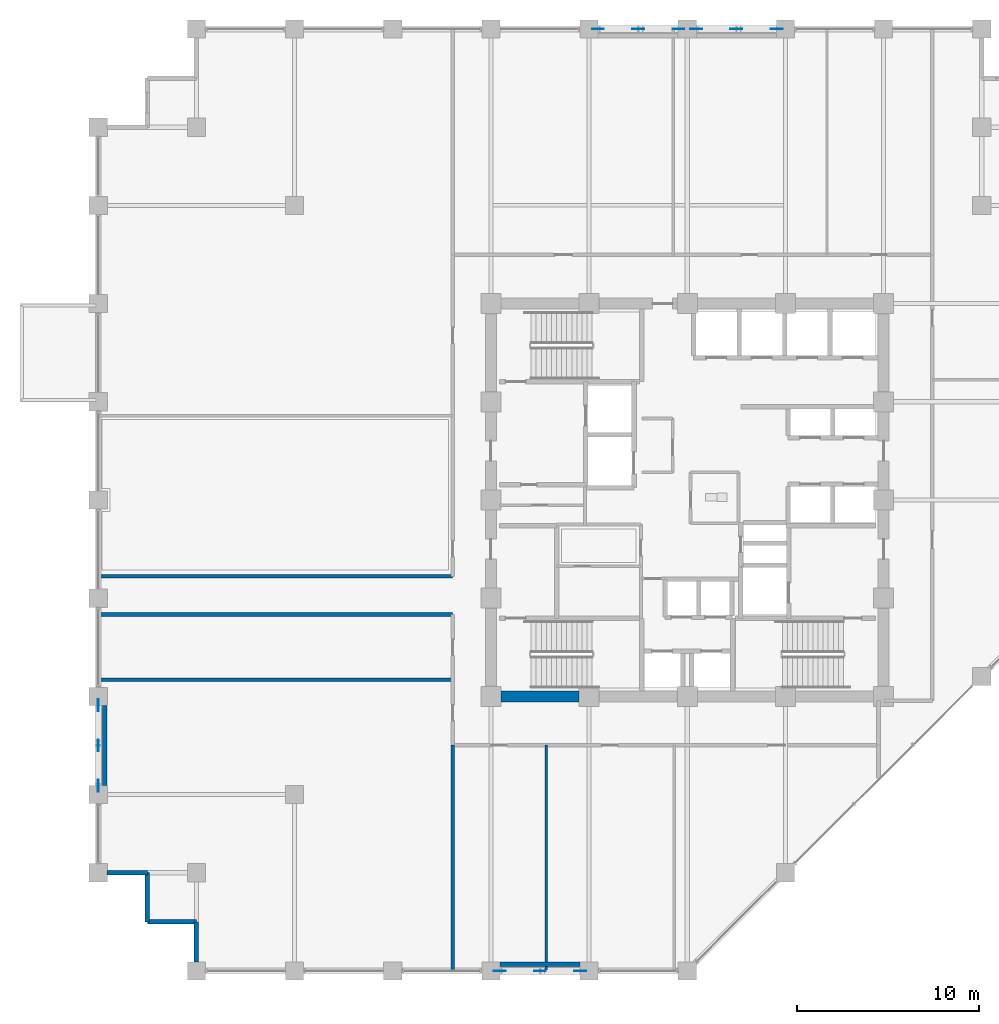
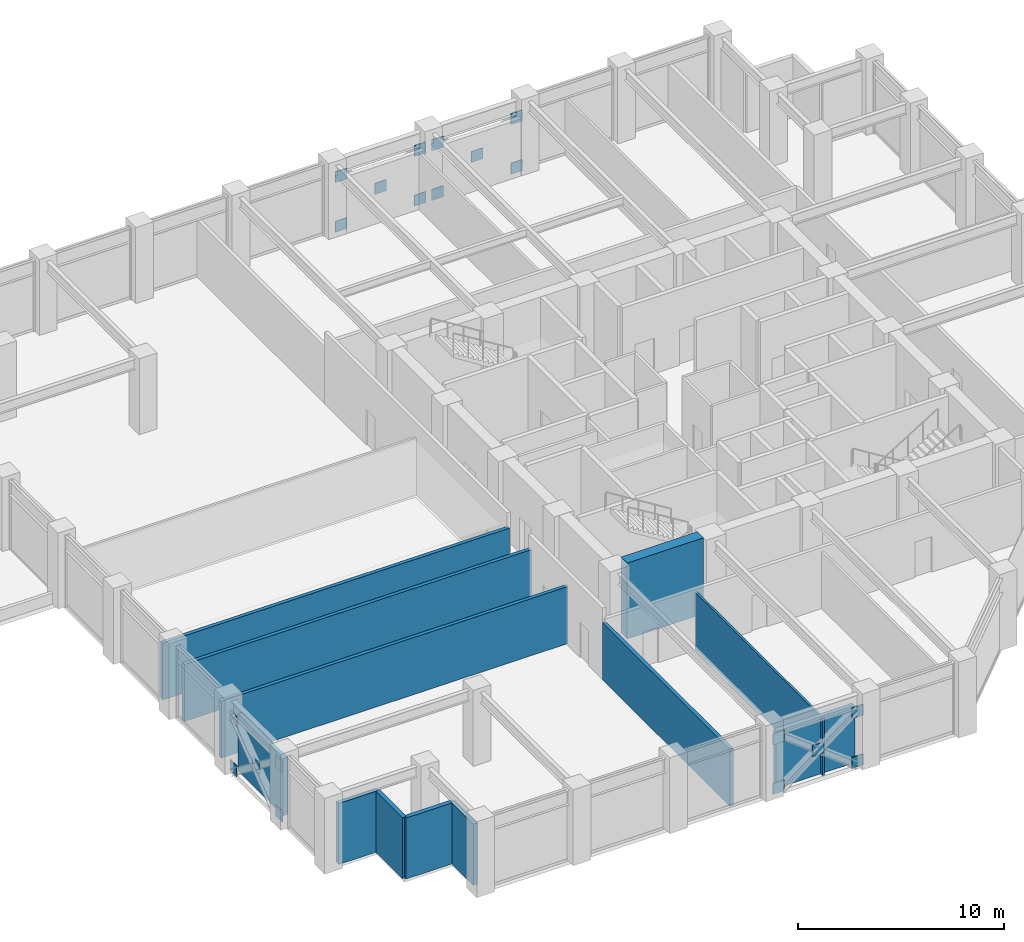
# One storey, part 18 of 25: 20 plates, 12 walls.
"""IFC4 building model written with IfcOpenShell, lengths in metres."""

from ifc_helpers import new_model, si_unit, direction, frame, frame_2d, origin, origin_2d, place, context, subcontext, project, spatial, rectangle, extrude, material, layer, layer_set, type_object, element, save


model = new_model("IFC4")

# Units and contexts
model_context = context("Model", 3, precision=1e-05, world=origin(), true_north=direction((0.0, 1.0)))
body_context = subcontext(model_context, "Body", "Model", "MODEL_VIEW")
ifc_project = project(units=[si_unit("LENGTHUNIT", "METRE"), si_unit("AREAUNIT", "SQUARE_METRE"), si_unit("VOLUMEUNIT", "CUBIC_METRE"), si_unit("PLANEANGLEUNIT", "RADIAN"), si_unit("MASSUNIT", "GRAM", prefix="KILO")], contexts=[model_context])

# Site, building, storey
site_placement = place(None, origin())
site = spatial("IfcSite", under=ifc_project, at=site_placement, CompositionType="ELEMENT")
building_placement = place(site_placement, origin())
building = spatial("IfcBuilding", under=site, at=building_placement, Name="Surkhivell Harbour Commons", CompositionType="ELEMENT")
storey_placement = place(building_placement, frame((0.0, 0.0, 162.0)))
storey = spatial("IfcBuildingStorey", under=building, at=storey_placement, Name="L42", CompositionType="ELEMENT", Elevation=162.0)

# Plates
ifc_material_1 = material(Name="Steel S460", Category="steel")
ifc_layer_1 = layer(ifc_material_1, 0.044921875)
ifc_layer_set_1 = layer_set([ifc_layer_1], Name="Steel S460")
plate_type = type_object("IfcPlateType", Name="PLT-GUS-650", PredefinedType="USERDEFINED", material=ifc_layer_set_1)
for number, where, z_axis, x_axis, name in (
    (1, (-4.9150390625, 25.89990234375, -0.08935546875), (0.0, 0.0, 1.0), (1.0, 0.0, 0.0), "L42 Perimeter Mega-Brace MB- Corner Gusset N-1"),
    (2, (-0.485107421875, 25.89990234375, -0.08935546875), (0.0, 0.0, 1.0), (1.0, 0.0, 0.0), "L42 Perimeter Mega-Brace MB- Corner Gusset N-2"),
    (3, (-4.9150390625, 25.89990234375, 2.8505859375), (0.0, 0.0, 1.0), (1.0, 0.0, 0.0), "L42 Perimeter Mega-Brace MB- Corner Gusset N-3"),
    (4, (-0.485107421875, 25.89990234375, 2.8505859375), (0.0, 0.0, 1.0), (1.0, 0.0, 0.0), "L42 Perimeter Mega-Brace MB- Corner Gusset N-4"),
    (5, (-2.699951171875, 25.89990234375, 1.380615234375), (0.0, 0.0, 1.0), (1.0, 0.0, 0.0), "L42 Perimeter Mega-Brace MB- Central Crossing Gusset N"),
    (6, (0.485107421875, 25.89990234375, -0.08935546875), (0.0, 0.0, 1.0), (1.0, 0.0, 0.0), "L42 Perimeter Mega-Brace MB- Corner Gusset N2-1"),
    (7, (4.9150390625, 25.89990234375, -0.08935546875), (0.0, 0.0, 1.0), (1.0, 0.0, 0.0), "L42 Perimeter Mega-Brace MB- Corner Gusset N2-2"),
    (8, (0.485107421875, 25.89990234375, 2.8505859375), (0.0, 0.0, 1.0), (1.0, 0.0, 0.0), "L42 Perimeter Mega-Brace MB- Corner Gusset N2-3"),
    (9, (4.9150390625, 25.89990234375, 2.8505859375), (0.0, 0.0, 1.0), (1.0, 0.0, 0.0), "L42 Perimeter Mega-Brace MB- Corner Gusset N2-4"),
    (10, (2.699951171875, 25.89990234375, 1.380615234375), (0.0, 0.0, 1.0), (1.0, 0.0, 0.0), "L42 Perimeter Mega-Brace MB- Central Crossing Gusset N2"),
    (11, (-10.31494140625, -25.89990234375, -0.08935546875), (0.0, 0.0, 1.0), (1.0, 0.0, 0.0), "L42 Perimeter Mega-Brace MB- Corner Gusset S-1"),
    (12, (-5.885009765625, -25.89990234375, -0.08935546875), (0.0, 0.0, 1.0), (1.0, 0.0, 0.0), "L42 Perimeter Mega-Brace MB- Corner Gusset S-2"),
    (13, (-10.31494140625, -25.89990234375, 2.8505859375), (0.0, 0.0, 1.0), (1.0, 0.0, 0.0), "L42 Perimeter Mega-Brace MB- Corner Gusset S-3"),
    (14, (-5.885009765625, -25.89990234375, 2.8505859375), (0.0, 0.0, 1.0), (1.0, 0.0, 0.0), "L42 Perimeter Mega-Brace MB- Corner Gusset S-4"),
    (15, (-8.10009765625, -25.89990234375, 1.380615234375), (0.0, 0.0, 1.0), (1.0, 0.0, 0.0), "L42 Perimeter Mega-Brace MB- Central Crossing Gusset S"),
    (16, (-32.39990234375, -15.715087890625, -0.08935546875), (0.0, 0.0, 1.0), (0.0, 1.0, 0.0), "L42 Perimeter Mega-Brace MB- Corner Gusset W-1"),
    (17, (-32.39990234375, -11.284912109375, -0.08935546875), (0.0, 0.0, 1.0), (0.0, 1.0, 0.0), "L42 Perimeter Mega-Brace MB- Corner Gusset W-2"),
    (18, (-32.39990234375, -15.715087890625, 2.8505859375), (0.0, 0.0, 1.0), (0.0, 1.0, 0.0), "L42 Perimeter Mega-Brace MB- Corner Gusset W-3"),
    (19, (-32.39990234375, -11.284912109375, 2.8505859375), (0.0, 0.0, 1.0), (0.0, 1.0, 0.0), "L42 Perimeter Mega-Brace MB- Corner Gusset W-4"),
    (20, (-32.39990234375, -13.5, 1.380615234375), (0.0, 0.0, 1.0), (0.0, 1.0, 0.0), "L42 Perimeter Mega-Brace MB- Central Crossing Gusset W"),
):
    element("IfcPlate", number, at=place(storey_placement, frame(where, z_axis=z_axis, x_axis=x_axis)), inside=storey, type_object=plate_type, Name=name, ObjectType="GUSSET_PLATE", PredefinedType="USERDEFINED", context=body_context, shape_type="SweptSolid", body=[
        extrude(rectangle(XDim=0.64990234375, YDim=0.044921875, at=origin_2d()), origin(), (0.0, 0.0, 1.0), 0.64990234375),
    ])

# Walls
ifc_material_2 = material(Name="Concrete C60/75", Category="concrete")
ifc_layer_2 = layer(ifc_material_2, 0.60009765625)
ifc_layer_set_2 = layer_set([ifc_layer_2], Name="Concrete C60/75")
wall_type_1 = type_object("IfcWallType", Name="WAL-CORE-600", PredefinedType="SHEAR", material=ifc_layer_set_2)
wall_1_placement = place(storey_placement, frame((-10.239990234375, -10.800048828125, 0.0), z_axis=(0.0, 0.0, 1.0), x_axis=(1.0, 0.0, 0.0)))
element("IfcWall", 21, at=wall_1_placement, inside=storey, type_object=wall_type_1, Name="L42 Core Shear Wall South 1", PredefinedType="SHEAR", context=body_context, shape_type="SweptSolid", body=[
    extrude(rectangle(XDim=4.280029296875, YDim=0.60009765625, at=frame_2d((2.14013671875, 0.0))), origin(), (0.0, 0.0, 1.0), 4.5),
])
ifc_material_3 = material(Name="Pale-metal insulated precast concrete C45/55", Category="concrete")
ifc_layer_3 = layer(ifc_material_3, 0.260009765625)
ifc_layer_set_3 = layer_set([ifc_layer_3], Name="Pale-metal insulated precast concrete C45/55")
wall_type_2 = type_object("IfcWallType", Name="WAL-EXT-MTL260", PredefinedType="STANDARD", material=ifc_layer_set_3)
wall_2_placement = place(storey_placement, frame((-10.302001953125, -25.5400390625, 0.0), z_axis=(0.0, 0.0, 1.0), x_axis=(1.0, 0.0, 0.0)))
element("IfcWall", 22, at=wall_2_placement, inside=storey, type_object=wall_type_2, Name="L42 Braced-Bay Insulated Spandrel Backing S", PredefinedType="STANDARD", context=body_context, shape_type="SweptSolid", body=[
    extrude(rectangle(XDim=4.404052734375, YDim=0.260009765625, at=frame_2d((2.2021484375, 0.0))), origin(), (0.0, 0.0, 1.0), 3.37890625),
])
wall_3_placement = place(storey_placement, frame((-32.0400390625, -11.298095703125, 0.0), z_axis=(0.0, 0.0, 1.0), x_axis=(0.0, -1.0, 0.0)))
element("IfcWall", 23, at=wall_3_placement, inside=storey, type_object=wall_type_2, Name="L42 Braced-Bay Insulated Spandrel Backing W", PredefinedType="STANDARD", context=body_context, shape_type="SweptSolid", body=[
    extrude(rectangle(XDim=4.40380859375, YDim=0.260009765625, at=frame_2d((2.201904296875, 0.0))), origin(), (0.0, 0.0, 1.0), 3.37890625),
])
ifc_material_4 = material(Name="Bronze-ochre cassette precast concrete C45/55", Category="concrete")
ifc_layer_4 = layer(ifc_material_4, 0.239990234375)
ifc_layer_set_4 = layer_set([ifc_layer_4], Name="Bronze-ochre cassette precast concrete C45/55")
wall_type_3 = type_object("IfcWallType", Name="WAL-EXT-OCH240", PredefinedType="STANDARD", material=ifc_layer_set_4)
wall_4_placement = place(storey_placement, frame((-31.902099609375, -20.5, 0.0), z_axis=(0.0, 0.0, 1.0), x_axis=(1.0, 0.0, 0.0)))
element("IfcWall", 24, at=wall_4_placement, inside=storey, type_object=wall_type_3, Name="L42 Serrated Corner Facade Wall 13", PredefinedType="STANDARD", context=body_context, shape_type="SweptSolid", body=[
    extrude(rectangle(XDim=2.2021484375, YDim=0.239990234375, at=frame_2d((1.10107421875, 0.0))), origin(), (0.0, 0.0, 1.0), 3.613037109375),
])
for number, where, z_axis, x_axis, name in (
    (25, (-29.699951171875, -20.5, 0.0), (0.0, 0.0, 1.0), (0.0, -1.0, 0.0), "L42 Serrated Corner Facade Wall 14"),
    (26, (-29.699951171875, -23.199951171875, 0.0), (0.0, 0.0, 1.0), (1.0, 0.0, 0.0), "L42 Serrated Corner Facade Wall 15"),
):
    element("IfcWall", number, at=place(storey_placement, frame(where, z_axis=z_axis, x_axis=x_axis)), inside=storey, type_object=wall_type_3, Name=name, PredefinedType="STANDARD", context=body_context, shape_type="SweptSolid", body=[
        extrude(rectangle(XDim=2.699951171875, YDim=0.239990234375, at=frame_2d((1.35009765625, 0.0))), origin(), (0.0, 0.0, 1.0), 3.613037109375),
    ])
wall_5_placement = place(storey_placement, frame((-27.0, -23.199951171875, 0.0), z_axis=(0.0, 0.0, 1.0), x_axis=(0.0, -1.0, 0.0)))
element("IfcWall", 27, at=wall_5_placement, inside=storey, type_object=wall_type_3, Name="L42 Serrated Corner Facade Wall 16", PredefinedType="STANDARD", context=body_context, shape_type="SweptSolid", body=[
    extrude(rectangle(XDim=2.2021484375, YDim=0.239990234375, at=frame_2d((1.10107421875, 0.0))), origin(), (0.0, 0.0, 1.0), 3.613037109375),
])
ifc_material_5 = material(Name="Moisture-resistant acoustic stud partition", Category="other")
ifc_layer_5 = layer(ifc_material_5, 0.125)
ifc_layer_set_5 = layer_set([ifc_layer_5], Name="Moisture-resistant acoustic stud partition")
wall_type_4 = type_object("IfcWallType", Name="WAL-INT-125", PredefinedType="PARTITIONING", material=ifc_layer_set_5)
wall_6_placement = place(storey_placement, frame((-7.75, -25.840087890625, 0.0), z_axis=(0.0, 0.0, 1.0), x_axis=(0.0, 1.0, 0.0)))
element("IfcWall", 28, at=wall_6_placement, inside=storey, type_object=wall_type_4, Name="L42 South Partition P1", PredefinedType="PARTITIONING", context=body_context, shape_type="SweptSolid", body=[
    extrude(rectangle(XDim=12.360107421875, YDim=0.125, at=frame_2d((6.18017578125, 0.0))), origin(), (0.0, 0.0, 1.0), 3.37890625),
])
ifc_material_6 = material(Name="Autoclaved aerated concrete blockwork and fire plaster", Category="masonry")
ifc_layer_6 = layer(ifc_material_6, 0.199951171875)
ifc_layer_set_6 = layer_set([ifc_layer_6], Name="Autoclaved aerated concrete blockwork and fire plaster")
wall_type_5 = type_object("IfcWallType", Name="WAL-INT-200", PredefinedType="PARTITIONING", material=ifc_layer_set_6)
wall_7_placement = place(storey_placement, frame((-12.89990234375, -25.840087890625, 0.0), z_axis=(0.0, 0.0, 1.0), x_axis=(0.0, 1.0, 0.0)))
element("IfcWall", 29, at=wall_7_placement, inside=storey, type_object=wall_type_5, Name="L42 South-West Wing Corner Divider", PredefinedType="PARTITIONING", context=body_context, shape_type="SweptSolid", body=[
    extrude(rectangle(XDim=12.360107421875, YDim=0.199951171875, at=frame_2d((6.18017578125, 0.0))), origin(), (0.0, 0.0, 1.0), 3.37890625),
])
for number, where, z_axis, x_axis, name in (
    (30, (-32.340087890625, -4.199951171875, 0.0), (0.0, 0.0, 1.0), (1.0, 0.0, 0.0), "L42 West Alcove North Wall"),
    (31, (-32.340087890625, -6.300048828125, 0.0), (0.0, 0.0, 1.0), (1.0, 0.0, 0.0), "L42 West Alcove South Wall"),
    (32, (-32.340087890625, -9.889892578125, 0.0), (0.0, 0.0, 1.0), (1.0, 0.0, 0.0), "L42 South-West Partition P1"),
):
    element("IfcWall", number, at=place(storey_placement, frame(where, z_axis=z_axis, x_axis=x_axis)), inside=storey, type_object=wall_type_5, Name=name, PredefinedType="PARTITIONING", context=body_context, shape_type="SweptSolid", body=[
        extrude(rectangle(XDim=19.440185546875, YDim=0.199951171875, at=frame_2d((9.72021484375, 0.0))), origin(), (0.0, 0.0, 1.0), 3.37890625),
    ])

save(model, "model.ifc")
